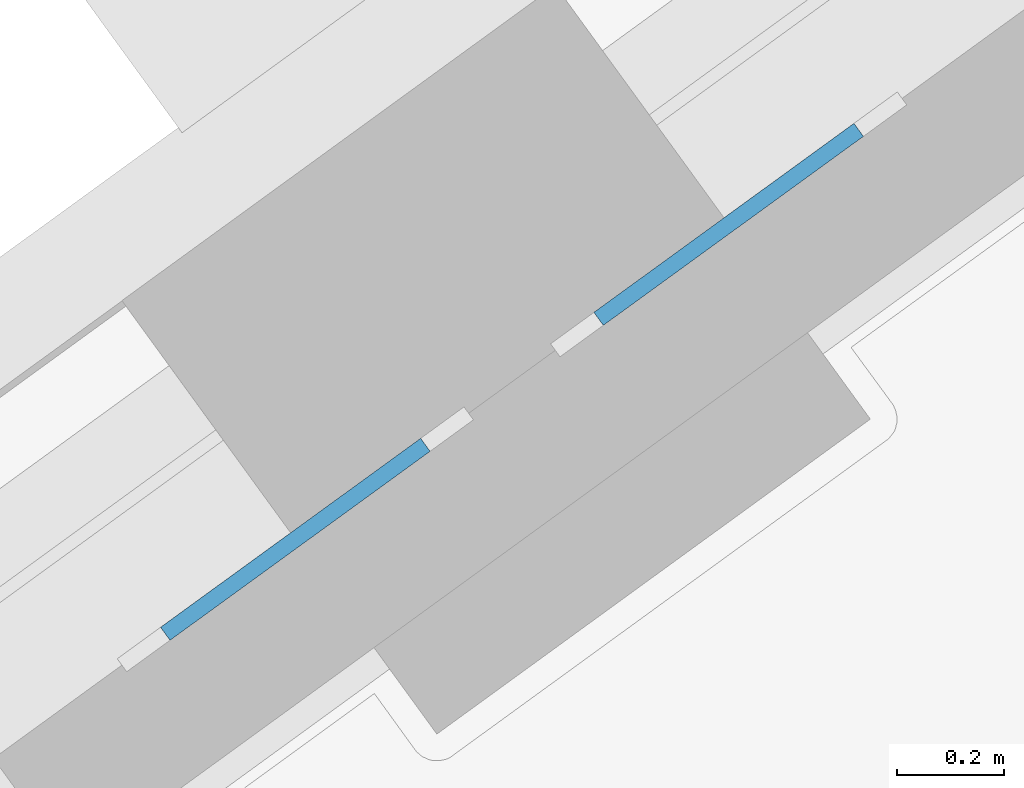
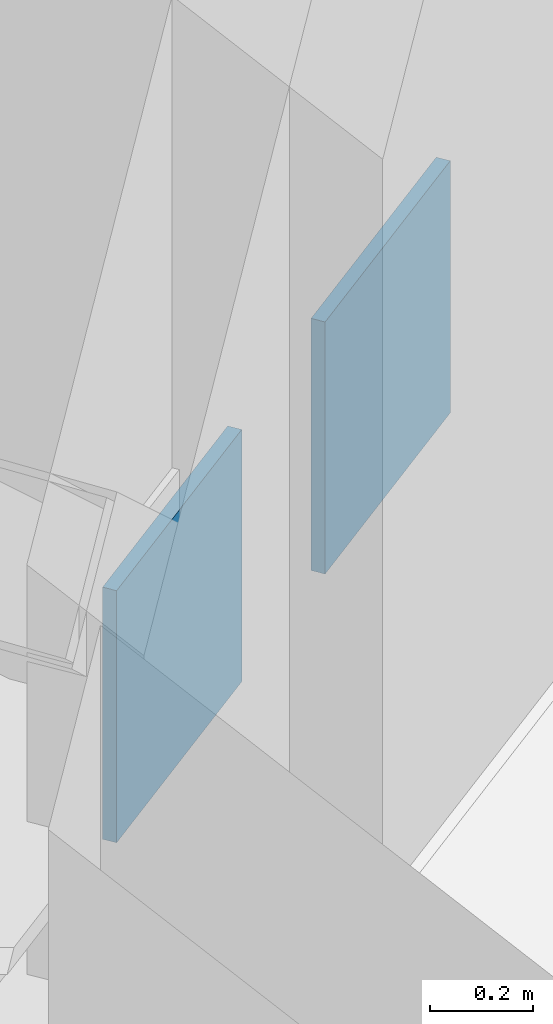
# One storey, part 8 of 18: 2 plates.
"""IFC4 building model written with IfcOpenShell, lengths in metres."""

from ifc_helpers import new_model, si_unit, direction, frame, origin, origin_2d, place, context, subcontext, project, spatial, rectangle, extrude, material, layer, layer_set, type_object, element, save


model = new_model("IFC4")

# Units and contexts
model_context = context("Model", 3, precision=1e-05, world=origin(), true_north=direction((0.0, 1.0)))
body_context = subcontext(model_context, "Body", "Model", "MODEL_VIEW")
ifc_project = project(units=[si_unit("LENGTHUNIT", "METRE"), si_unit("AREAUNIT", "SQUARE_METRE"), si_unit("VOLUMEUNIT", "CUBIC_METRE"), si_unit("PLANEANGLEUNIT", "RADIAN"), si_unit("MASSUNIT", "GRAM", prefix="KILO")], contexts=[model_context])

# Site, building, storey
site_placement = place(None, origin())
site = spatial("IfcSite", under=ifc_project, at=site_placement, CompositionType="ELEMENT")
building_placement = place(site_placement, origin())
building = spatial("IfcBuilding", under=site, at=building_placement, Name="Quipu Civic Tower", CompositionType="ELEMENT")
storey_placement = place(building_placement, frame((0.0, 0.0, 79.0)))
storey = spatial("IfcBuildingStorey", under=building, at=storey_placement, Name="L18", CompositionType="ELEMENT", Elevation=79.0)

# Plates
ifc_material = material(Name="Steel ASTM A572 Grade 50 (fy 345 MPa)", Category="steel")
ifc_layer = layer(ifc_material, 0.030029296875)
ifc_layer_set = layer_set([ifc_layer], Name="Steel ASTM A572 Grade 50 (fy 345 MPa)")
plate_type = type_object("IfcPlateType", Name="Cast in plate TD2", PredefinedType="SHEET", material=ifc_layer_set)
for number, where, z_axis, x_axis, name in (
    (1, (-48.66162109375, 40.2998046875, 0.207275390625), (0.0, 0.0, 1.0), (0.80902725304, 0.587771132193, 0.0), "Cast-in plate TD2 L18 015"),
    (2, (-49.470458984375, 39.7119140625, 0.207275390625), (0.0, 0.0, 1.0), (0.80902725304, 0.587771132193, 0.0), "Cast-in plate TD2 L18 018"),
):
    element("IfcPlate", number, at=place(storey_placement, frame(where, z_axis=z_axis, x_axis=x_axis)), inside=storey, type_object=plate_type, Name=name, PredefinedType="SHEET", context=body_context, shape_type="SweptSolid", body=[
        extrude(rectangle(XDim=0.60009765625, YDim=0.030029296875, at=origin_2d()), origin(), (0.0, 0.0, 1.0), 0.60009765625),
    ])

save(model, "model.ifc")
